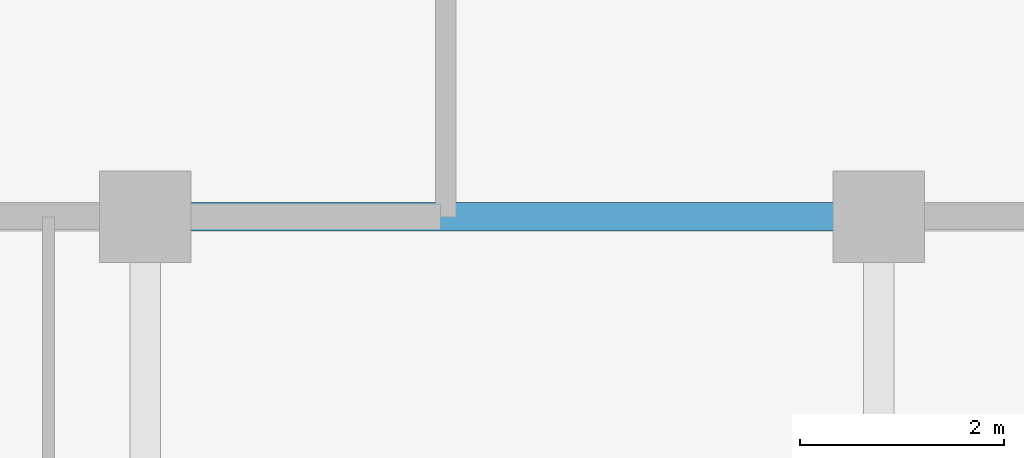
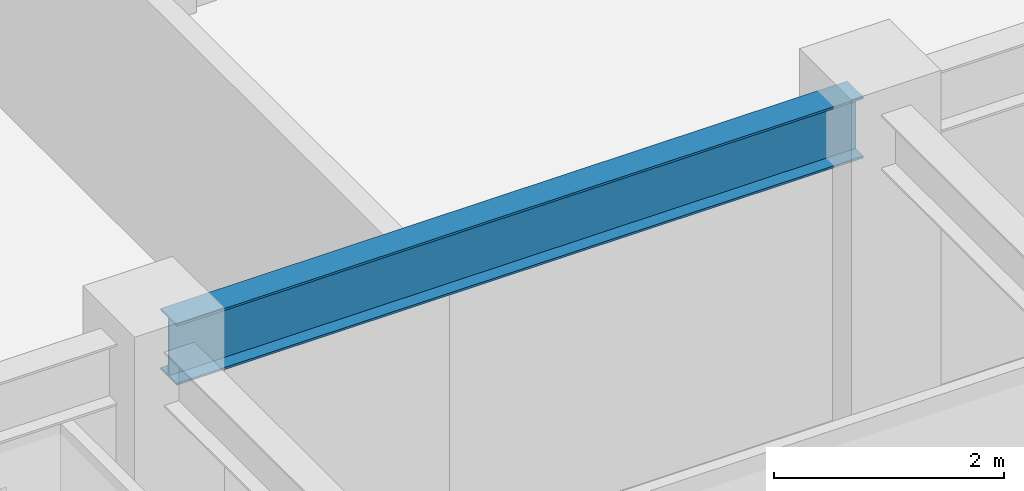
# One storey, part 6 of 21: 1 beam.
"""IFC4 building model written with IfcOpenShell, lengths in metres."""

import ifcopenshell
import ifcopenshell.guid

model = None  # the IFC model being written
_history = None  # IfcOwnerHistory: only IFC2X3 demands one
_inside = {}  # id of a spatial element -> (the spatial element, [elements in it])
_under = {}  # id of a project, library or spatial element -> (it, [spatial elements below it])
_declared = {}  # id of a project -> (the project, [libraries it declares])
_typed = {}  # id of a type object -> (the type object, [elements of that type])
_made_of = {}  # id of a material, layer set ... -> (it, [elements and type objects made of it])


def new_model(schema):
    """Start an empty IFC model of exactly this schema.

    Asked for "IFC4X3", IfcOpenShell would pick the latest addendum, in which some entities
    have other attributes; the version numbers below select the first issue.
    IFC2X3 requires an IfcOwnerHistory on every rooted entity: one is made here for all.
    """
    global model, _history
    if schema == "IFC4X3":
        model = ifcopenshell.file(schema_version=(4, 3, 0, 0))
    else:
        model = ifcopenshell.file(schema=schema)
    _inside.clear()
    _under.clear()
    _declared.clear()
    _typed.clear()
    _made_of.clear()
    _history = None
    if model.schema == "IFC2X3":
        org = make("IfcOrganization", Name="unknown")
        user = make(
            "IfcPersonAndOrganization",
            ThePerson=make("IfcPerson", FamilyName="unknown"),
            TheOrganization=org,
        )
        app = make(
            "IfcApplication",
            ApplicationDeveloper=org,
            Version="unknown",
            ApplicationFullName="unknown",
            ApplicationIdentifier="unknown",
        )
        _history = make(
            "IfcOwnerHistory",
            OwningUser=user,
            OwningApplication=app,
            ChangeAction="ADDED",
            CreationDate=0,
        )
    return model


def make(cls, **values):
    """One entity of the class cls with the attributes given. An attribute that is None is left unset."""
    return model.create_entity(
        cls, **{name: value for name, value in values.items() if value is not None}
    )


def rooted(cls, **values):
    """An entity with a GlobalId (a new one), such as an element, a storey or a relation."""
    return make(cls, GlobalId=ifcopenshell.guid.new(), OwnerHistory=_history, **values)


def si_unit(unit_type, name, prefix=None):
    """IfcSIUnit, for example si_unit("LENGTHUNIT", "METRE", prefix="MILLI")."""
    return make("IfcSIUnit", UnitType=unit_type, Prefix=prefix, Name=name)


def assignment(units):
    """IfcUnitAssignment: the units of a project."""
    return None if units is None else make("IfcUnitAssignment", Units=units)


def point(xyz):
    """IfcCartesianPoint."""
    return None if xyz is None else make("IfcCartesianPoint", Coordinates=xyz)


def direction(xyz):
    """IfcDirection."""
    return None if xyz is None else make("IfcDirection", DirectionRatios=xyz)


def frame(location, z_axis=None, x_axis=None):
    """IfcAxis2Placement3D, a coordinate frame: its origin and axes. An axis left out is left unset."""
    return make(
        "IfcAxis2Placement3D",
        Location=point(location),
        Axis=direction(z_axis),
        RefDirection=direction(x_axis),
    )


def frame_2d(location, x_axis=None):
    """IfcAxis2Placement2D, a coordinate frame in the plane: its origin and x axis."""
    return make(
        "IfcAxis2Placement2D", Location=point(location), RefDirection=direction(x_axis)
    )


def origin():
    """The frame at (0, 0, 0) with its axes left unset."""
    return frame((0.0, 0.0, 0.0))


def origin_2d():
    """The frame at (0, 0) in the plane with its x axis left unset."""
    return frame_2d((0.0, 0.0))


def place(relative_to, where):
    """IfcLocalPlacement: puts the frame where relative to a parent placement (None: the world)."""
    return make(
        "IfcLocalPlacement", PlacementRelTo=relative_to, RelativePlacement=where
    )


def context(
    kind, dimensions, precision=None, world=None, true_north=None, identifier=None
):
    """IfcGeometricRepresentationContext, for example the 3D "Model" context."""
    return make(
        "IfcGeometricRepresentationContext",
        ContextIdentifier=identifier,
        ContextType=kind,
        CoordinateSpaceDimension=dimensions,
        Precision=precision,
        WorldCoordinateSystem=world,
        TrueNorth=true_north,
    )


def subcontext(parent, identifier, kind, view, scale=None):
    """IfcGeometricRepresentationSubContext, for example "Body" below "Model"."""
    return make(
        "IfcGeometricRepresentationSubContext",
        ContextIdentifier=identifier,
        ContextType=kind,
        ParentContext=parent,
        TargetScale=scale,
        TargetView=view,
    )


def project(units=None, contexts=None):
    """IfcProject with its units and contexts."""
    return rooted(
        "IfcProject",
        Name="project",
        RepresentationContexts=contexts,
        UnitsInContext=assignment(units),
    )


def spatial(cls, under=None, at=None, **own):
    """A site, building, storey or space (cls), placed at a placement, below another one or the project."""
    s = rooted(cls, ObjectPlacement=at, **own)
    if under is not None:
        _under.setdefault(under.id(), (under, []))[1].append(s)
    return s


def profile(cls, at=None, kind="AREA", **sizes):
    """A parametric profile (cls). Its sizes go by their IFC names, for example OverallWidth=200.0."""
    return make(cls, ProfileType=kind, Position=at, **sizes)


def i_section(**sizes):
    """IfcIShapeProfileDef."""
    return profile("IfcIShapeProfileDef", **sizes)


def extrude(swept, where, along, depth):
    """IfcExtrudedAreaSolid: the profile swept, set in the frame where, extruded along a direction by depth."""
    return make(
        "IfcExtrudedAreaSolid",
        SweptArea=swept,
        Position=where,
        ExtrudedDirection=direction(along),
        Depth=depth,
    )


def shape(context_of_items, identifier, shape_type, items):
    """IfcShapeRepresentation: the items that make up one representation, for example the "Body"."""
    return make(
        "IfcShapeRepresentation",
        ContextOfItems=context_of_items,
        RepresentationIdentifier=identifier,
        RepresentationType=shape_type,
        Items=items,
    )


def source(mapping_origin, context_of_items, identifier, shape_type, items):
    """IfcRepresentationMap: a shape defined once, which mapped items show again and again."""
    return make(
        "IfcRepresentationMap",
        MappingOrigin=mapping_origin,
        MappedRepresentation=shape(context_of_items, identifier, shape_type, items),
    )


def transform(
    local_origin,
    x_axis=None,
    y_axis=None,
    z_axis=None,
    scale=None,
    scale2=None,
    scale3=None,
    uniform=True,
):
    """IfcCartesianTransformationOperator3D, or its non-uniform kind. x_axis, y_axis, z_axis: its Axis1, 2, 3."""
    if uniform:
        return make(
            "IfcCartesianTransformationOperator3D",
            Axis1=direction(x_axis),
            Axis2=direction(y_axis),
            LocalOrigin=point(local_origin),
            Scale=scale,
            Axis3=direction(z_axis),
        )
    return make(
        "IfcCartesianTransformationOperator3DnonUniform",
        Axis1=direction(x_axis),
        Axis2=direction(y_axis),
        LocalOrigin=point(local_origin),
        Scale=scale,
        Axis3=direction(z_axis),
        Scale2=scale2,
        Scale3=scale3,
    )


def mapped(mapping_source, mapping_target):
    """IfcMappedItem: shows the shape of a source again, moved by a transform."""
    return make(
        "IfcMappedItem", MappingSource=mapping_source, MappingTarget=mapping_target
    )


def material(Name=None, Category=None):
    """IfcMaterial."""
    return make("IfcMaterial", Name=Name, Category=Category)


def material_profile(
    of_material, cross_section, Name=None, Category=None, Priority=None
):
    """IfcMaterialProfile: a cross section and its material."""
    return make(
        "IfcMaterialProfile",
        Name=Name,
        Material=of_material,
        Profile=cross_section,
        Priority=Priority,
        Category=Category,
    )


def profile_set(profiles, Name=None, composite=None):
    """IfcMaterialProfileSet."""
    return make(
        "IfcMaterialProfileSet",
        Name=Name,
        MaterialProfiles=profiles,
        CompositeProfile=composite,
    )


def made_of(thing, what):
    """Note that an element or type object is made of a material, layer set ...; save() writes the relation."""
    if what is not None:
        _made_of.setdefault(what.id(), (what, []))[1].append(thing)
    return thing


def type_object(cls, material=None, **own):
    """A type object (cls), such as IfcWallType, which elements share."""
    return made_of(rooted(cls, **own), material)


def element(
    cls,
    number,
    at=None,
    inside=None,
    cuts=None,
    type_object=None,
    material=None,
    context=None,
    identifier="Body",
    shape_type=None,
    held_by="IfcProductDefinitionShape",
    body=None,
    shapes=None,
    **own,
):
    """One element of the class cls, such as IfcWall. Its Tag is "e" and its number.

    at: its placement. inside: the storey or other place that contains it. cuts: it is an
    opening in that element (IfcRelVoidsElement). A single representation is given by context,
    identifier, shape_type and body (its items); several are given by shapes. held_by: the class
    of the entity that holds the representations. save() writes the other relations.
    """
    e = rooted(cls, Tag="e%d" % number, ObjectPlacement=at, **own)
    if body is not None:
        shapes = [shape(context, identifier, shape_type, body)]
    if shapes is not None:
        e.Representation = make(held_by, Representations=shapes)
    if inside is not None:
        _inside.setdefault(inside.id(), (inside, []))[1].append(e)
    if cuts is not None:
        rooted(
            "IfcRelVoidsElement", RelatingBuildingElement=cuts, RelatedOpeningElement=e
        )
    if type_object is not None:
        _typed.setdefault(type_object.id(), (type_object, []))[1].append(e)
    return made_of(e, material)


def aggregate(whole, parts):
    """IfcRelAggregates: a whole, such as a stair, and the parts it consists of."""
    return rooted("IfcRelAggregates", RelatingObject=whole, RelatedObjects=parts)


def save(model, path):
    """Write the relations noted so far, then the file.

    IfcRelAggregates (storeys below a building ...), IfcRelContainedInSpatialStructure (elements
    in a storey), IfcRelDefinesByType, IfcRelAssociatesMaterial and IfcRelDeclares: one each for
    every whole, place, type object, material and project.
    """
    for whole, parts in _under.values():
        aggregate(whole, parts)
    for where, things in _inside.values():
        rooted(
            "IfcRelContainedInSpatialStructure",
            RelatedElements=things,
            RelatingStructure=where,
        )
    for kind, things in _typed.values():
        rooted("IfcRelDefinesByType", RelatedObjects=things, RelatingType=kind)
    for what, things in _made_of.values():
        rooted("IfcRelAssociatesMaterial", RelatedObjects=things, RelatingMaterial=what)
    for by, libraries in _declared.values():
        rooted("IfcRelDeclares", RelatingContext=by, RelatedDefinitions=libraries)
    model.write(path)


model = new_model("IFC4")

# Units and contexts
model_context = context("Model", 3, precision=1e-05, world=origin(), true_north=direction((0.0, 1.0)))
body_context = subcontext(model_context, "Body", "Model", "MODEL_VIEW")
ifc_project = project(units=[si_unit("LENGTHUNIT", "METRE"), si_unit("AREAUNIT", "SQUARE_METRE"), si_unit("VOLUMEUNIT", "CUBIC_METRE"), si_unit("PLANEANGLEUNIT", "RADIAN"), si_unit("MASSUNIT", "GRAM", prefix="KILO")], contexts=[model_context])

# Site, building, storey
site_placement = place(None, origin())
site = spatial("IfcSite", under=ifc_project, at=site_placement, CompositionType="ELEMENT")
building_placement = place(site_placement, origin())
building = spatial("IfcBuilding", under=site, at=building_placement, Name="Trelvane Seafront Commons", CompositionType="ELEMENT")
storey_placement = place(building_placement, frame((0.0, 0.0, 34.300048828125)))
storey = spatial("IfcBuildingStorey", under=building, at=storey_placement, Name="L08", CompositionType="ELEMENT", Elevation=34.300048828125)

# Beam
ifc_material = material(Name="Steel SM355 (S355)", Category="steel")
ifc_material_profile = material_profile(ifc_material, i_section(OverallWidth=0.280029296875, OverallDepth=0.64990234375, WebThickness=0.012939453125, FlangeThickness=0.02197265625, at=origin_2d()), Name="H-650x280x13x22")
ifc_profile_set = profile_set([ifc_material_profile], Name="Steel SM355 (S355)")
beam_type = type_object("IfcBeamType", Name="STR-BM-H650", PredefinedType="BEAM", material=ifc_profile_set)
shared_shape = source(origin(), body_context, "Body", "SweptSolid", [
    extrude(i_section(OverallWidth=0.280029296875, OverallDepth=0.64990234375, WebThickness=0.012939453125, FlangeThickness=0.02197265625, at=origin_2d()), origin(), (0.0, 0.0, 1.0), 6.89990234375),
])
beam_placement = place(storey_placement, frame((23.550048828125, 33.39990234375, 3.014892578125), z_axis=(1.0, 0.0, 0.0), x_axis=(0.0, 1.0, 0.0)))
element("IfcBeam", 1, at=beam_placement, inside=storey, type_object=beam_type, Name="L08 Primary Girder G-22", PredefinedType="BEAM", context=body_context, shape_type="MappedRepresentation", body=[
    mapped(shared_shape, transform((0.0, 0.0, 0.0), x_axis=(1.0, 0.0, 0.0), y_axis=(0.0, 1.0, 0.0), z_axis=(0.0, 0.0, 1.0), scale=1.0)),
])

save(model, "model.ifc")
